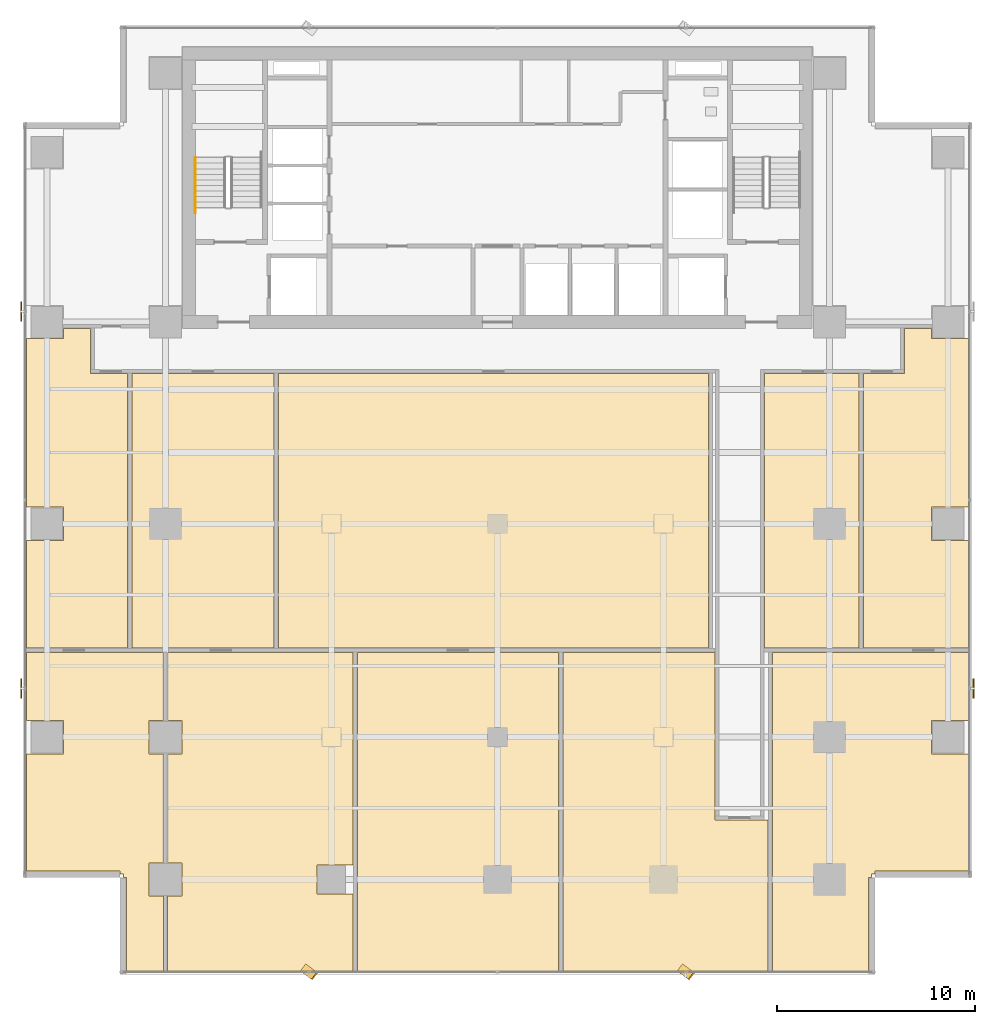
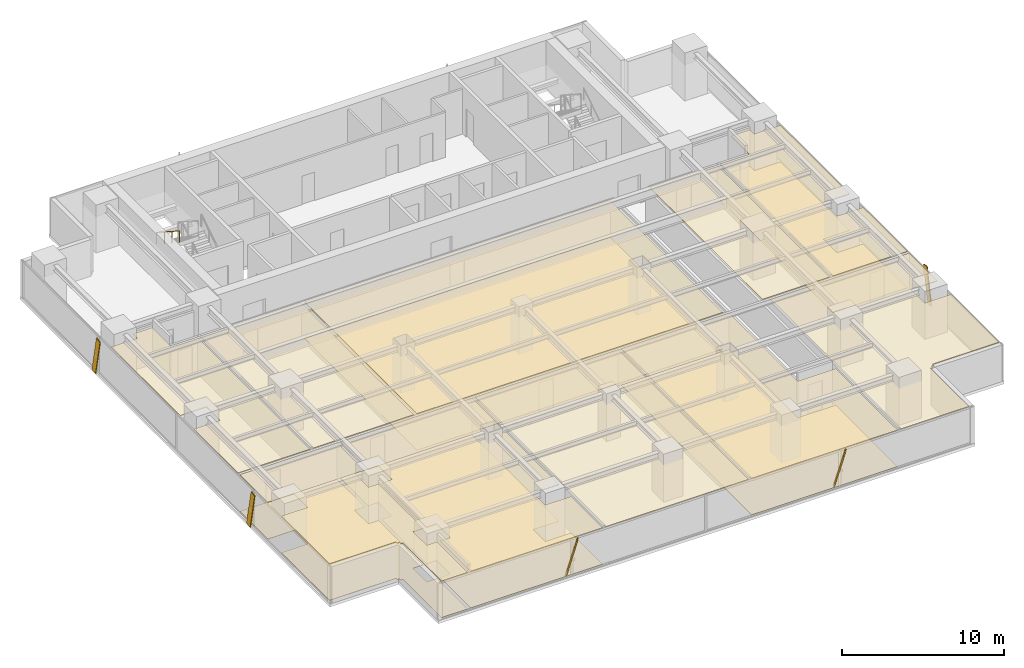
# One storey, part 24 of 28: 15 coverings, 5 shading devices, 1 railing.
"""IFC4 building model written with IfcOpenShell, lengths in metres."""

from ifc_helpers import new_model, si_unit, direction, frame, origin, origin_2d, place, context, subcontext, project, spatial, polyline, rectangle, outline, extrude, source, transform, mapped, material, layer, layer_set, material_profile, profile_set, type_object, element, save


model = new_model("IFC4")

# Units and contexts
model_context = context("Model", 3, precision=1e-05, world=origin(), true_north=direction((0.0, 1.0)))
body_context = subcontext(model_context, "Body", "Model", "MODEL_VIEW")
ifc_project = project(units=[si_unit("LENGTHUNIT", "METRE"), si_unit("AREAUNIT", "SQUARE_METRE"), si_unit("VOLUMEUNIT", "CUBIC_METRE"), si_unit("PLANEANGLEUNIT", "RADIAN"), si_unit("MASSUNIT", "GRAM", prefix="KILO")], contexts=[model_context])

# Site, building, storey
site_placement = place(None, origin())
site = spatial("IfcSite", under=ifc_project, at=site_placement, CompositionType="ELEMENT")
building_placement = place(site_placement, origin())
building = spatial("IfcBuilding", under=site, at=building_placement, Name="Sumidabori Civic Tower", CompositionType="ELEMENT")
storey_placement = place(building_placement, frame((0.0, 0.0, 167.60009765625)))
storey = spatial("IfcBuildingStorey", under=building, at=storey_placement, Name="L43", CompositionType="ELEMENT", Elevation=167.60009765625)

# Coverings
ifc_material_1 = material(Name="Anodised Bronze Baffle Ceiling")
ifc_layer_1 = layer(ifc_material_1, 0.054931640625, Name="Anodised Bronze Baffle Ceiling")
ifc_layer_set_1 = layer_set([ifc_layer_1], Name="Anodised Bronze Baffle Ceiling")
covering_type_1 = type_object("IfcCoveringType", Name="CV-CEIL-AC3", PredefinedType="CEILING", material=ifc_layer_set_1)
covering_1_placement = place(storey_placement, frame((0.0, 0.0, 2.72998046875)))
element("IfcCovering", 1, at=covering_1_placement, inside=storey, type_object=covering_type_1, Name="Room Acoustic Ceiling L43-02", PredefinedType="CEILING", context=body_context, shape_type="SweptSolid", body=[
    extrude(outline(polyline([(-21.9599609375, 9.360107421875), (-21.9599609375, 9.889892578125), (-20.60009765625, 9.889892578125), (-20.60009765625, 7.60009765625), (-18.7099609375, 7.60009765625), (-18.7099609375, -6.2900390625), (-23.830078125, -6.2900390625), (-23.830078125, -0.840087890625), (-21.9599609375, -0.840087890625), (-21.9599609375, 0.840087890625), (-23.830078125, 0.840087890625), (-23.830078125, 9.360107421875), (-21.9599609375, 9.360107421875)])), origin(), (0.0, 0.0, 1.0), 0.054931640625),
])
covering_2_placement = place(storey_placement, frame((0.0, 0.0, 2.72998046875)))
element("IfcCovering", 2, at=covering_2_placement, inside=storey, type_object=covering_type_1, Name="Room Acoustic Ceiling L43-03", PredefinedType="CEILING", context=body_context, shape_type="SweptSolid", body=[
    extrude(outline(polyline([(18.510009765625, 7.60009765625), (20.60009765625, 7.60009765625), (20.60009765625, 9.889892578125), (21.9599609375, 9.889892578125), (21.9599609375, 9.360107421875), (23.830078125, 9.360107421875), (23.830078125, 0.840087890625), (21.9599609375, 0.840087890625), (21.9599609375, -0.840087890625), (23.830078125, -0.840087890625), (23.830078125, -6.2900390625), (18.510009765625, -6.2900390625), (18.510009765625, 7.60009765625)])), origin(), (0.0, 0.0, 1.0), 0.054931640625),
])
covering_3_placement = place(storey_placement, frame((0.0, 0.0, 2.72998046875)))
element("IfcCovering", 3, at=covering_3_placement, inside=storey, type_object=covering_type_1, Name="Room Acoustic Ceiling L43-04", PredefinedType="CEILING", context=body_context, shape_type="SweptSolid", body=[
    extrude(outline(polyline([(-18.489990234375, 7.60009765625), (-11.31005859375, 7.60009765625), (-11.31005859375, -6.2900390625), (-18.489990234375, -6.2900390625), (-18.489990234375, 7.60009765625)])), origin(), (0.0, 0.0, 1.0), 0.054931640625),
])
covering_4_placement = place(storey_placement, frame((0.0, 0.0, 2.72998046875)))
element("IfcCovering", 4, at=covering_4_placement, inside=storey, type_object=covering_type_1, Name="Room Acoustic Ceiling L43-05", PredefinedType="CEILING", context=body_context, shape_type="SweptSolid", body=[
    extrude(outline(polyline([(-11.090087890625, 7.60009765625), (10.68994140625, 7.60009765625), (10.68994140625, -6.2900390625), (-11.090087890625, -6.2900390625), (-11.090087890625, 7.60009765625)])), origin(), (0.0, 0.0, 1.0), 0.054931640625),
])
covering_5_placement = place(storey_placement, frame((0.0, 0.0, 2.72998046875)))
element("IfcCovering", 5, at=covering_5_placement, inside=storey, type_object=covering_type_1, Name="Room Acoustic Ceiling L43-06", PredefinedType="CEILING", context=body_context, shape_type="SweptSolid", body=[
    extrude(outline(polyline([(13.5, 7.60009765625), (18.2900390625, 7.60009765625), (18.2900390625, -6.2900390625), (13.5, -6.2900390625), (13.5, 7.60009765625)])), origin(), (0.0, 0.0, 1.0), 0.054931640625),
])
covering_6_placement = place(storey_placement, frame((0.0, 0.0, 2.72998046875)))
element("IfcCovering", 6, at=covering_6_placement, inside=storey, type_object=covering_type_1, Name="Room Acoustic Ceiling L43-07", PredefinedType="CEILING", context=body_context, shape_type="SweptSolid", body=[
    extrude(outline(polyline([(-21.9599609375, -11.639892578125), (-21.9599609375, -9.9599609375), (-23.830078125, -9.9599609375), (-23.830078125, -6.510009765625), (-16.909912109375, -6.510009765625), (-16.909912109375, -9.9599609375), (-17.639892578125, -9.9599609375), (-17.639892578125, -11.639892578125), (-16.909912109375, -11.639892578125), (-16.909912109375, -17.159912109375), (-17.639892578125, -17.159912109375), (-17.639892578125, -18.840087890625), (-16.909912109375, -18.840087890625), (-16.909912109375, -22.6298828125), (-18.77197265625, -22.6298828125), (-18.77197265625, -17.89208984375), (-18.929931640625, -17.89208984375), (-18.929931640625, -17.72998046875), (-19.092041015625, -17.72998046875), (-19.092041015625, -17.572021484375), (-23.830078125, -17.572021484375), (-23.830078125, -11.639892578125), (-21.9599609375, -11.639892578125)])), origin(), (0.0, 0.0, 1.0), 0.054931640625),
])
covering_7_placement = place(storey_placement, frame((0.0, 0.0, 2.72998046875)))
element("IfcCovering", 7, at=covering_7_placement, inside=storey, type_object=covering_type_1, Name="Room Acoustic Ceiling L43-08", PredefinedType="CEILING", context=body_context, shape_type="SweptSolid", body=[
    extrude(outline(polyline([(13.909912109375, -6.510009765625), (23.830078125, -6.510009765625), (23.830078125, -9.9599609375), (21.9599609375, -9.9599609375), (21.9599609375, -11.639892578125), (23.830078125, -11.639892578125), (23.830078125, -17.572021484375), (19.092041015625, -17.572021484375), (19.092041015625, -17.72998046875), (18.929931640625, -17.72998046875), (18.929931640625, -17.89208984375), (18.77197265625, -17.89208984375), (18.77197265625, -22.6298828125), (13.909912109375, -22.6298828125), (13.909912109375, -6.510009765625)])), origin(), (0.0, 0.0, 1.0), 0.054931640625),
])
covering_8_placement = place(storey_placement, frame((0.0, 0.0, 2.72998046875)))
element("IfcCovering", 8, at=covering_8_placement, inside=storey, type_object=covering_type_1, Name="Room Acoustic Ceiling L43-09", PredefinedType="CEILING", context=body_context, shape_type="SweptSolid", body=[
    extrude(outline(polyline([(-16.68994140625, -18.840087890625), (-15.9599609375, -18.840087890625), (-15.9599609375, -17.159912109375), (-16.68994140625, -17.159912109375), (-16.68994140625, -11.639892578125), (-15.9599609375, -11.639892578125), (-15.9599609375, -9.9599609375), (-16.68994140625, -9.9599609375), (-16.68994140625, -6.510009765625), (-7.31005859375, -6.510009765625), (-7.31005859375, -17.260009765625), (-9.139892578125, -17.260009765625), (-9.139892578125, -18.739990234375), (-7.31005859375, -18.739990234375), (-7.31005859375, -22.6298828125), (-16.68994140625, -22.6298828125), (-16.68994140625, -18.840087890625)])), origin(), (0.0, 0.0, 1.0), 0.054931640625),
])
covering_9_placement = place(storey_placement, frame((0.0, 0.0, 2.72998046875)))
element("IfcCovering", 9, at=covering_9_placement, inside=storey, type_object=covering_type_1, Name="Room Acoustic Ceiling L43-10", PredefinedType="CEILING", context=body_context, shape_type="SweptSolid", body=[
    extrude(outline(polyline([(-7.090087890625, -6.510009765625), (3.090087890625, -6.510009765625), (3.090087890625, -22.6298828125), (-7.090087890625, -22.6298828125), (-7.090087890625, -6.510009765625)])), origin(), (0.0, 0.0, 1.0), 0.054931640625),
])
covering_10_placement = place(storey_placement, frame((0.0, 0.0, 2.72998046875)))
element("IfcCovering", 10, at=covering_10_placement, inside=storey, type_object=covering_type_1, Name="Room Acoustic Ceiling L43-11", PredefinedType="CEILING", context=body_context, shape_type="SweptSolid", body=[
    extrude(outline(polyline([(3.31005859375, -6.510009765625), (11.0, -6.510009765625), (11.0, -15.0), (13.68994140625, -15.0), (13.68994140625, -22.6298828125), (3.31005859375, -22.6298828125), (3.31005859375, -6.510009765625)])), origin(), (0.0, 0.0, 1.0), 0.054931640625),
])
ifc_material_2 = material(Name="Honed Terrazzo Tile Flooring")
ifc_layer_2 = layer(ifc_material_2, 0.030029296875, Name="Honed Terrazzo Tile Flooring")
ifc_layer_set_2 = layer_set([ifc_layer_2], Name="Honed Terrazzo Tile Flooring")
covering_type_2 = type_object("IfcCoveringType", Name="CV-FLR-TER", PredefinedType="FLOORING", material=ifc_layer_set_2)
covering_11_placement = place(storey_placement, origin())
element("IfcCovering", 11, at=covering_11_placement, inside=storey, type_object=covering_type_2, Name="Room Terrazzo Floor L43-03", PredefinedType="FLOORING", context=body_context, shape_type="SweptSolid", body=[
    extrude(outline(polyline([(18.510009765625, 7.60009765625), (20.60009765625, 7.60009765625), (20.60009765625, 9.889892578125), (21.9599609375, 9.889892578125), (21.9599609375, 9.360107421875), (23.830078125, 9.360107421875), (23.830078125, 0.840087890625), (21.9599609375, 0.840087890625), (21.9599609375, -0.840087890625), (23.830078125, -0.840087890625), (23.830078125, -6.2900390625), (18.510009765625, -6.2900390625), (18.510009765625, 7.60009765625)])), origin(), (0.0, 0.0, 1.0), 0.02978515625),
])
covering_12_placement = place(storey_placement, origin())
element("IfcCovering", 12, at=covering_12_placement, inside=storey, type_object=covering_type_2, Name="Room Terrazzo Floor L43-05", PredefinedType="FLOORING", context=body_context, shape_type="SweptSolid", body=[
    extrude(outline(polyline([(-11.090087890625, 7.60009765625), (10.68994140625, 7.60009765625), (10.68994140625, -6.2900390625), (-11.090087890625, -6.2900390625), (-11.090087890625, 7.60009765625)])), origin(), (0.0, 0.0, 1.0), 0.02978515625),
])
covering_13_placement = place(storey_placement, origin())
element("IfcCovering", 13, at=covering_13_placement, inside=storey, type_object=covering_type_2, Name="Room Terrazzo Floor L43-07", PredefinedType="FLOORING", context=body_context, shape_type="SweptSolid", body=[
    extrude(outline(polyline([(-21.9599609375, -11.639892578125), (-21.9599609375, -9.9599609375), (-23.830078125, -9.9599609375), (-23.830078125, -6.510009765625), (-16.909912109375, -6.510009765625), (-16.909912109375, -9.9599609375), (-17.639892578125, -9.9599609375), (-17.639892578125, -11.639892578125), (-16.909912109375, -11.639892578125), (-16.909912109375, -17.159912109375), (-17.639892578125, -17.159912109375), (-17.639892578125, -18.840087890625), (-16.909912109375, -18.840087890625), (-16.909912109375, -22.6298828125), (-18.77197265625, -22.6298828125), (-18.77197265625, -17.89208984375), (-18.929931640625, -17.89208984375), (-18.929931640625, -17.72998046875), (-19.092041015625, -17.72998046875), (-19.092041015625, -17.572021484375), (-23.830078125, -17.572021484375), (-23.830078125, -11.639892578125), (-21.9599609375, -11.639892578125)])), origin(), (0.0, 0.0, 1.0), 0.02978515625),
])
covering_14_placement = place(storey_placement, origin())
element("IfcCovering", 14, at=covering_14_placement, inside=storey, type_object=covering_type_2, Name="Room Terrazzo Floor L43-09", PredefinedType="FLOORING", context=body_context, shape_type="SweptSolid", body=[
    extrude(outline(polyline([(-16.68994140625, -18.840087890625), (-15.9599609375, -18.840087890625), (-15.9599609375, -17.159912109375), (-16.68994140625, -17.159912109375), (-16.68994140625, -11.639892578125), (-15.9599609375, -11.639892578125), (-15.9599609375, -9.9599609375), (-16.68994140625, -9.9599609375), (-16.68994140625, -6.510009765625), (-7.31005859375, -6.510009765625), (-7.31005859375, -17.260009765625), (-9.139892578125, -17.260009765625), (-9.139892578125, -18.739990234375), (-7.31005859375, -18.739990234375), (-7.31005859375, -22.6298828125), (-16.68994140625, -22.6298828125), (-16.68994140625, -18.840087890625)])), origin(), (0.0, 0.0, 1.0), 0.02978515625),
])
covering_15_placement = place(storey_placement, origin())
element("IfcCovering", 15, at=covering_15_placement, inside=storey, type_object=covering_type_2, Name="Room Terrazzo Floor L43-11", PredefinedType="FLOORING", context=body_context, shape_type="SweptSolid", body=[
    extrude(outline(polyline([(3.31005859375, -6.510009765625), (11.0, -6.510009765625), (11.0, -15.0), (13.68994140625, -15.0), (13.68994140625, -22.6298828125), (3.31005859375, -22.6298828125), (3.31005859375, -6.510009765625)])), origin(), (0.0, 0.0, 1.0), 0.02978515625),
])

# Railing
ifc_material_3 = material(Name="Stainless Steel Hairline Finish", Category="steel")
railing_type = type_object("IfcRailingType", Name="RL-HANDRAIL", PredefinedType="HANDRAIL", material=ifc_material_3)
railing_placement = place(storey_placement, frame((-15.2900390625, 18.52001953125, 1.97998046875)))
element("IfcRailing", 16, at=railing_placement, inside=storey, type_object=railing_type, Name="L43 ST-1 stair handrail 2", PredefinedType="HANDRAIL", context=body_context, shape_type="SweptSolid", body=[
    extrude(rectangle(XDim=0.048095703125, YDim=0.048095703125, at=origin_2d()), frame((0.0, 0.0, 0.8759765625), z_axis=(0.0, -0.840675598268, 0.541539046124), x_axis=(1.0, 0.0, 0.0)), (0.0, 0.0, 1.0), 3.330810546875),
    extrude(rectangle(XDim=0.0419921875, YDim=0.0419921875, at=origin_2d()), origin(), (0.0, 0.0, 1.0), 0.851806640625),
    extrude(rectangle(XDim=0.0419921875, YDim=0.0419921875, at=origin_2d()), frame((0.0, -0.933349609375, 0.601318359375)), (0.0, 0.0, 1.0), 0.851806640625),
    extrude(rectangle(XDim=0.0419921875, YDim=0.0419921875, at=origin_2d()), frame((0.0, -1.86669921875, 1.202392578125)), (0.0, 0.0, 1.0), 0.851806640625),
    extrude(rectangle(XDim=0.0419921875, YDim=0.0419921875, at=origin_2d()), frame((0.0, -2.800048828125, 1.8037109375)), (0.0, 0.0, 1.0), 0.851806640625),
])

# Shading devices
ifc_material_4 = material(Name="Anodised Bronze Aluminium AW-6063-T6", Category="aluminium")
ifc_material_profile = material_profile(ifc_material_4, rectangle(XDim=0.06005859375, YDim=0.449951171875, at=origin_2d()), Name="BRONZE FIN 450x60")
ifc_profile_set = profile_set([ifc_material_profile], Name="Anodised Bronze Aluminium AW-6063-T6")
shading_device_type = type_object("IfcShadingDeviceType", Name="SH-FIN-450", PredefinedType="USERDEFINED", material=ifc_profile_set)
shared_shape_1 = source(origin(), body_context, "Body", "SweptSolid", [
    extrude(rectangle(XDim=0.06005859375, YDim=0.449951171875, at=origin_2d()), origin(), (0.0, 0.0, 1.0), 2.789306640625),
])
for number, where, z_axis, x_axis, name in (
    (17, (-9.81494140625, -22.469970703125, 0.02001953125), (0.200794136335, -0.150551837182, 0.967995794998), (0.774477654896, -0.580689436103, -0.250966413819), "Bronze Anodised Diagonal Fin L43-01"),
    (18, (9.2548828125, -22.469970703125, 0.02001953125), (0.200794136335, -0.150551837182, 0.967995794998), (0.774477654896, -0.580689436103, -0.250966413819), "Bronze Anodised Diagonal Fin L43-03"),
):
    element("IfcShadingDevice", number, at=place(storey_placement, frame(where, z_axis=z_axis, x_axis=x_axis)), inside=storey, type_object=shading_device_type, Name=name, ObjectType="FIN", PredefinedType="USERDEFINED", context=body_context, shape_type="MappedRepresentation", body=[
        mapped(shared_shape_1, transform((0.0, 0.0, 0.0), x_axis=(1.0, 0.0, 0.0), y_axis=(0.0, 1.0, 0.0), z_axis=(0.0, 0.0, 1.0), scale=1.0)),
    ])
shared_shape_2 = source(origin(), body_context, "Body", "SweptSolid", [
    extrude(rectangle(XDim=0.06005859375, YDim=0.449951171875, at=origin_2d()), origin(), (0.0, 0.0, 1.0), 2.75732421875),
])
for number, where, z_axis, x_axis, name in (
    (19, (24.090087890625, -8.614990234375, 0.02001953125), (0.0, 0.203109150817, 0.979156102393), (-1.0, 0.0, 0.0), "Bronze Anodised Diagonal Fin L43-01"),
    (20, (-24.090087890625, 11.014892578125, 0.02001953125), (0.0, -0.20302426177, 0.979173707333), (-1.0, 0.0, 0.0), "Bronze Anodised Diagonal Fin L43-01"),
    (21, (-24.090087890625, -8.054931640625, 0.02001953125), (0.0, -0.203109150817, 0.979156102393), (-1.0, 0.0, 0.0), "Bronze Anodised Diagonal Fin L43-03"),
):
    element("IfcShadingDevice", number, at=place(storey_placement, frame(where, z_axis=z_axis, x_axis=x_axis)), inside=storey, type_object=shading_device_type, Name=name, ObjectType="FIN", PredefinedType="USERDEFINED", context=body_context, shape_type="MappedRepresentation", body=[
        mapped(shared_shape_2, transform((0.0, 0.0, 0.0), x_axis=(1.0, 0.0, 0.0), y_axis=(0.0, 1.0, 0.0), z_axis=(0.0, 0.0, 1.0), scale=1.0)),
    ])

save(model, "model.ifc")
